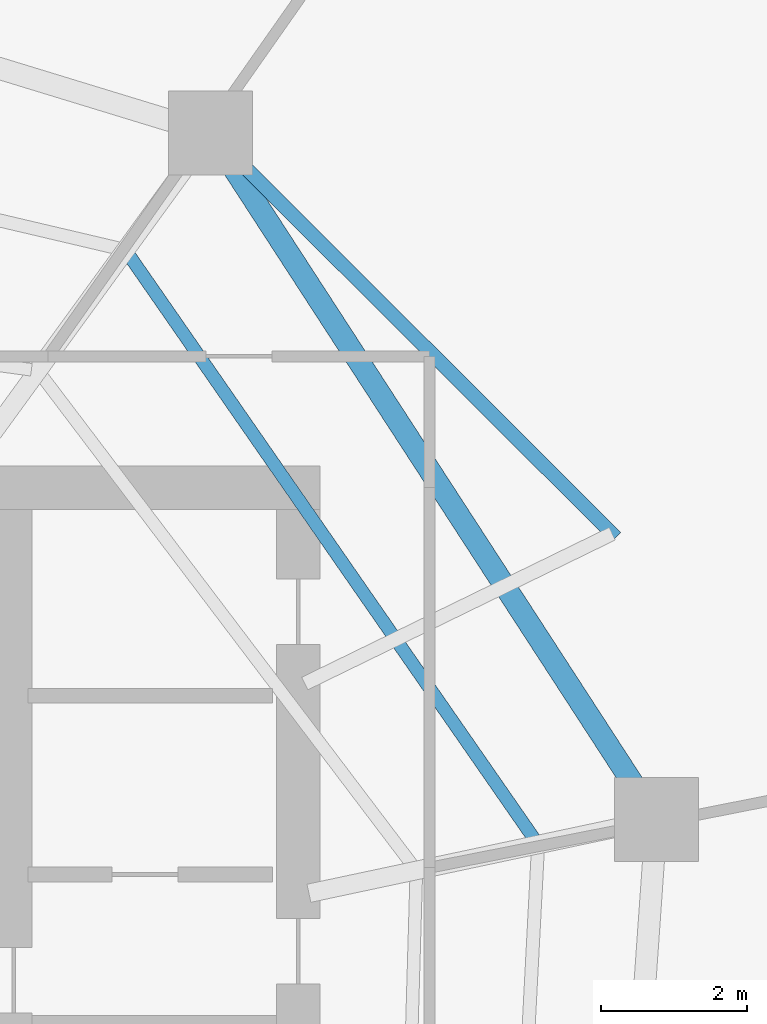
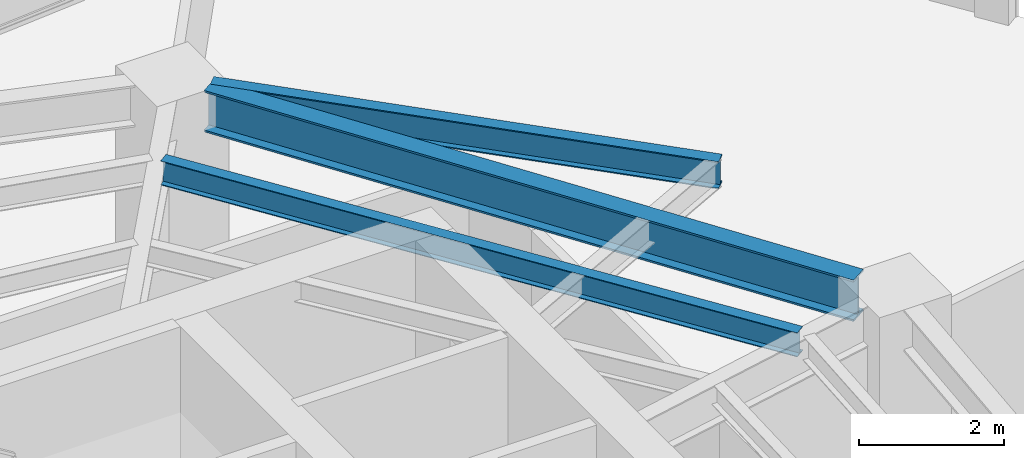
# One storey, part 21 of 30: 3 beams.
"""IFC4 building model written with IfcOpenShell, lengths in metres."""

import ifcopenshell
import ifcopenshell.guid

model = None  # the IFC model being written
_history = None  # IfcOwnerHistory: only IFC2X3 demands one
_inside = {}  # id of a spatial element -> (the spatial element, [elements in it])
_under = {}  # id of a project, library or spatial element -> (it, [spatial elements below it])
_declared = {}  # id of a project -> (the project, [libraries it declares])
_typed = {}  # id of a type object -> (the type object, [elements of that type])
_made_of = {}  # id of a material, layer set ... -> (it, [elements and type objects made of it])


def new_model(schema):
    """Start an empty IFC model of exactly this schema.

    Asked for "IFC4X3", IfcOpenShell would pick the latest addendum, in which some entities
    have other attributes; the version numbers below select the first issue.
    IFC2X3 requires an IfcOwnerHistory on every rooted entity: one is made here for all.
    """
    global model, _history
    if schema == "IFC4X3":
        model = ifcopenshell.file(schema_version=(4, 3, 0, 0))
    else:
        model = ifcopenshell.file(schema=schema)
    _inside.clear()
    _under.clear()
    _declared.clear()
    _typed.clear()
    _made_of.clear()
    _history = None
    if model.schema == "IFC2X3":
        org = make("IfcOrganization", Name="unknown")
        user = make(
            "IfcPersonAndOrganization",
            ThePerson=make("IfcPerson", FamilyName="unknown"),
            TheOrganization=org,
        )
        app = make(
            "IfcApplication",
            ApplicationDeveloper=org,
            Version="unknown",
            ApplicationFullName="unknown",
            ApplicationIdentifier="unknown",
        )
        _history = make(
            "IfcOwnerHistory",
            OwningUser=user,
            OwningApplication=app,
            ChangeAction="ADDED",
            CreationDate=0,
        )
    return model


def make(cls, **values):
    """One entity of the class cls with the attributes given. An attribute that is None is left unset."""
    return model.create_entity(
        cls, **{name: value for name, value in values.items() if value is not None}
    )


def rooted(cls, **values):
    """An entity with a GlobalId (a new one), such as an element, a storey or a relation."""
    return make(cls, GlobalId=ifcopenshell.guid.new(), OwnerHistory=_history, **values)


def si_unit(unit_type, name, prefix=None):
    """IfcSIUnit, for example si_unit("LENGTHUNIT", "METRE", prefix="MILLI")."""
    return make("IfcSIUnit", UnitType=unit_type, Prefix=prefix, Name=name)


def assignment(units):
    """IfcUnitAssignment: the units of a project."""
    return None if units is None else make("IfcUnitAssignment", Units=units)


def point(xyz):
    """IfcCartesianPoint."""
    return None if xyz is None else make("IfcCartesianPoint", Coordinates=xyz)


def direction(xyz):
    """IfcDirection."""
    return None if xyz is None else make("IfcDirection", DirectionRatios=xyz)


def frame(location, z_axis=None, x_axis=None):
    """IfcAxis2Placement3D, a coordinate frame: its origin and axes. An axis left out is left unset."""
    return make(
        "IfcAxis2Placement3D",
        Location=point(location),
        Axis=direction(z_axis),
        RefDirection=direction(x_axis),
    )


def frame_2d(location, x_axis=None):
    """IfcAxis2Placement2D, a coordinate frame in the plane: its origin and x axis."""
    return make(
        "IfcAxis2Placement2D", Location=point(location), RefDirection=direction(x_axis)
    )


def origin():
    """The frame at (0, 0, 0) with its axes left unset."""
    return frame((0.0, 0.0, 0.0))


def origin_2d():
    """The frame at (0, 0) in the plane with its x axis left unset."""
    return frame_2d((0.0, 0.0))


def place(relative_to, where):
    """IfcLocalPlacement: puts the frame where relative to a parent placement (None: the world)."""
    return make(
        "IfcLocalPlacement", PlacementRelTo=relative_to, RelativePlacement=where
    )


def context(
    kind, dimensions, precision=None, world=None, true_north=None, identifier=None
):
    """IfcGeometricRepresentationContext, for example the 3D "Model" context."""
    return make(
        "IfcGeometricRepresentationContext",
        ContextIdentifier=identifier,
        ContextType=kind,
        CoordinateSpaceDimension=dimensions,
        Precision=precision,
        WorldCoordinateSystem=world,
        TrueNorth=true_north,
    )


def subcontext(parent, identifier, kind, view, scale=None):
    """IfcGeometricRepresentationSubContext, for example "Body" below "Model"."""
    return make(
        "IfcGeometricRepresentationSubContext",
        ContextIdentifier=identifier,
        ContextType=kind,
        ParentContext=parent,
        TargetScale=scale,
        TargetView=view,
    )


def project(units=None, contexts=None):
    """IfcProject with its units and contexts."""
    return rooted(
        "IfcProject",
        Name="project",
        RepresentationContexts=contexts,
        UnitsInContext=assignment(units),
    )


def spatial(cls, under=None, at=None, **own):
    """A site, building, storey or space (cls), placed at a placement, below another one or the project."""
    s = rooted(cls, ObjectPlacement=at, **own)
    if under is not None:
        _under.setdefault(under.id(), (under, []))[1].append(s)
    return s


def profile(cls, at=None, kind="AREA", **sizes):
    """A parametric profile (cls). Its sizes go by their IFC names, for example OverallWidth=200.0."""
    return make(cls, ProfileType=kind, Position=at, **sizes)


def i_section(**sizes):
    """IfcIShapeProfileDef."""
    return profile("IfcIShapeProfileDef", **sizes)


def extrude(swept, where, along, depth):
    """IfcExtrudedAreaSolid: the profile swept, set in the frame where, extruded along a direction by depth."""
    return make(
        "IfcExtrudedAreaSolid",
        SweptArea=swept,
        Position=where,
        ExtrudedDirection=direction(along),
        Depth=depth,
    )


def shape(context_of_items, identifier, shape_type, items):
    """IfcShapeRepresentation: the items that make up one representation, for example the "Body"."""
    return make(
        "IfcShapeRepresentation",
        ContextOfItems=context_of_items,
        RepresentationIdentifier=identifier,
        RepresentationType=shape_type,
        Items=items,
    )


def material(Name=None, Category=None):
    """IfcMaterial."""
    return make("IfcMaterial", Name=Name, Category=Category)


def material_profile(
    of_material, cross_section, Name=None, Category=None, Priority=None
):
    """IfcMaterialProfile: a cross section and its material."""
    return make(
        "IfcMaterialProfile",
        Name=Name,
        Material=of_material,
        Profile=cross_section,
        Priority=Priority,
        Category=Category,
    )


def profile_set(profiles, Name=None, composite=None):
    """IfcMaterialProfileSet."""
    return make(
        "IfcMaterialProfileSet",
        Name=Name,
        MaterialProfiles=profiles,
        CompositeProfile=composite,
    )


def made_of(thing, what):
    """Note that an element or type object is made of a material, layer set ...; save() writes the relation."""
    if what is not None:
        _made_of.setdefault(what.id(), (what, []))[1].append(thing)
    return thing


def type_object(cls, material=None, **own):
    """A type object (cls), such as IfcWallType, which elements share."""
    return made_of(rooted(cls, **own), material)


def element(
    cls,
    number,
    at=None,
    inside=None,
    cuts=None,
    type_object=None,
    material=None,
    context=None,
    identifier="Body",
    shape_type=None,
    held_by="IfcProductDefinitionShape",
    body=None,
    shapes=None,
    **own,
):
    """One element of the class cls, such as IfcWall. Its Tag is "e" and its number.

    at: its placement. inside: the storey or other place that contains it. cuts: it is an
    opening in that element (IfcRelVoidsElement). A single representation is given by context,
    identifier, shape_type and body (its items); several are given by shapes. held_by: the class
    of the entity that holds the representations. save() writes the other relations.
    """
    e = rooted(cls, Tag="e%d" % number, ObjectPlacement=at, **own)
    if body is not None:
        shapes = [shape(context, identifier, shape_type, body)]
    if shapes is not None:
        e.Representation = make(held_by, Representations=shapes)
    if inside is not None:
        _inside.setdefault(inside.id(), (inside, []))[1].append(e)
    if cuts is not None:
        rooted(
            "IfcRelVoidsElement", RelatingBuildingElement=cuts, RelatedOpeningElement=e
        )
    if type_object is not None:
        _typed.setdefault(type_object.id(), (type_object, []))[1].append(e)
    return made_of(e, material)


def aggregate(whole, parts):
    """IfcRelAggregates: a whole, such as a stair, and the parts it consists of."""
    return rooted("IfcRelAggregates", RelatingObject=whole, RelatedObjects=parts)


def save(model, path):
    """Write the relations noted so far, then the file.

    IfcRelAggregates (storeys below a building ...), IfcRelContainedInSpatialStructure (elements
    in a storey), IfcRelDefinesByType, IfcRelAssociatesMaterial and IfcRelDeclares: one each for
    every whole, place, type object, material and project.
    """
    for whole, parts in _under.values():
        aggregate(whole, parts)
    for where, things in _inside.values():
        rooted(
            "IfcRelContainedInSpatialStructure",
            RelatedElements=things,
            RelatingStructure=where,
        )
    for kind, things in _typed.values():
        rooted("IfcRelDefinesByType", RelatedObjects=things, RelatingType=kind)
    for what, things in _made_of.values():
        rooted("IfcRelAssociatesMaterial", RelatedObjects=things, RelatingMaterial=what)
    for by, libraries in _declared.values():
        rooted("IfcRelDeclares", RelatingContext=by, RelatedDefinitions=libraries)
    model.write(path)


model = new_model("IFC4")

# Units and contexts
model_context = context("Model", 3, precision=1e-05, world=origin(), true_north=direction((0.0, 1.0)))
body_context = subcontext(model_context, "Body", "Model", "MODEL_VIEW")
ifc_project = project(units=[si_unit("LENGTHUNIT", "METRE"), si_unit("AREAUNIT", "SQUARE_METRE"), si_unit("VOLUMEUNIT", "CUBIC_METRE"), si_unit("PLANEANGLEUNIT", "RADIAN"), si_unit("MASSUNIT", "GRAM", prefix="KILO")], contexts=[model_context])

# Site, building, storey
site_placement = place(None, origin())
site = spatial("IfcSite", under=ifc_project, at=site_placement, CompositionType="ELEMENT")
building_placement = place(site_placement, origin())
building = spatial("IfcBuilding", under=site, at=building_placement, Name="Qarnah Convention Tower", CompositionType="ELEMENT")
storey_placement = place(building_placement, frame((0.0, 0.0, 86.699951171875)))
storey = spatial("IfcBuildingStorey", under=building, at=storey_placement, Name="L22", CompositionType="ELEMENT", Elevation=86.699951171875)

# Beams
ifc_material = material(Name="Structural steel S355JR", Category="steel")
ifc_material_profile_1 = material_profile(ifc_material, i_section(OverallWidth=0.19189453125, OverallDepth=0.464111328125, WebThickness=0.010986328125, FlangeThickness=0.01806640625, at=origin_2d()), Name="W460X89")
ifc_profile_set_1 = profile_set([ifc_material_profile_1], Name="Structural steel S355JR")
beam_type_1 = type_object("IfcBeamType", Name="BM-CANT-W460A", PredefinedType="BEAM", material=ifc_profile_set_1)
beam_1_placement = place(storey_placement, frame((51.952880859375, 33.52099609375, 2.93798828125), z_axis=(-0.707978220507, 0.706234266577, 0.0), x_axis=(-0.706234266577, -0.707978220507, 0.0)))
element("IfcBeam", 1, at=beam_1_placement, inside=storey, type_object=beam_type_1, Name="L22 spandrel BM-L22-CTIE-01", PredefinedType="SPANDREL", context=body_context, shape_type="SweptSolid", body=[
    extrude(i_section(OverallWidth=0.19189453125, OverallDepth=0.464111328125, WebThickness=0.010986328125, FlangeThickness=0.01806640625, at=origin_2d()), origin(), (0.0, 0.0, 1.0), 7.279541015625),
])
ifc_material_profile_2 = material_profile(ifc_material, i_section(OverallWidth=0.177978515625, OverallDepth=0.407958984375, WebThickness=0.008056640625, FlangeThickness=0.012939453125, at=origin_2d()), Name="W410X60")
ifc_profile_set_2 = profile_set([ifc_material_profile_2], Name="Structural steel S355JR")
beam_type_2 = type_object("IfcBeamType", Name="BM-JST-W410", PredefinedType="JOIST", material=ifc_profile_set_2)
beam_2_placement = place(storey_placement, frame((50.8369140625, 29.384033203125, 2.966064453125), z_axis=(-0.57026424233, 0.821461316144, 0.0), x_axis=(-0.821461316144, -0.57026424233, 0.0)))
element("IfcBeam", 2, at=beam_2_placement, inside=storey, type_object=beam_type_2, Name="L22 joist BM-L22-SJST-01", PredefinedType="JOIST", context=body_context, shape_type="SweptSolid", body=[
    extrude(i_section(OverallWidth=0.177978515625, OverallDepth=0.407958984375, WebThickness=0.008056640625, FlangeThickness=0.012939453125, at=origin_2d()), origin(), (0.0, 0.0, 1.0), 9.737548828125),
])
ifc_material_profile_3 = material_profile(ifc_material, i_section(OverallWidth=0.300048828125, OverallDepth=0.699951171875, WebThickness=0.01708984375, FlangeThickness=0.031982421875, at=origin_2d()), Name="HEB700")
ifc_profile_set_3 = profile_set([ifc_material_profile_3], Name="Structural steel S355JR")
beam_type_3 = type_object("IfcBeamType", Name="BM-RING-HEB700", PredefinedType="BEAM", material=ifc_profile_set_3)
beam_3_placement = place(storey_placement, frame((52.199951171875, 30.1279296875, 2.820068359375), z_axis=(-0.544610528714, 0.838689079465, 0.0), x_axis=(-0.838689079465, -0.544610528714, 0.0)))
element("IfcBeam", 3, at=beam_3_placement, inside=storey, type_object=beam_type_3, Name="L22 beam BM-L22-SPN-01", PredefinedType="BEAM", context=body_context, shape_type="SweptSolid", body=[
    extrude(i_section(OverallWidth=0.300048828125, OverallDepth=0.699951171875, WebThickness=0.01708984375, FlangeThickness=0.031982421875, at=origin_2d()), origin(), (0.0, 0.0, 1.0), 10.0859375),
])

save(model, "model.ifc")
